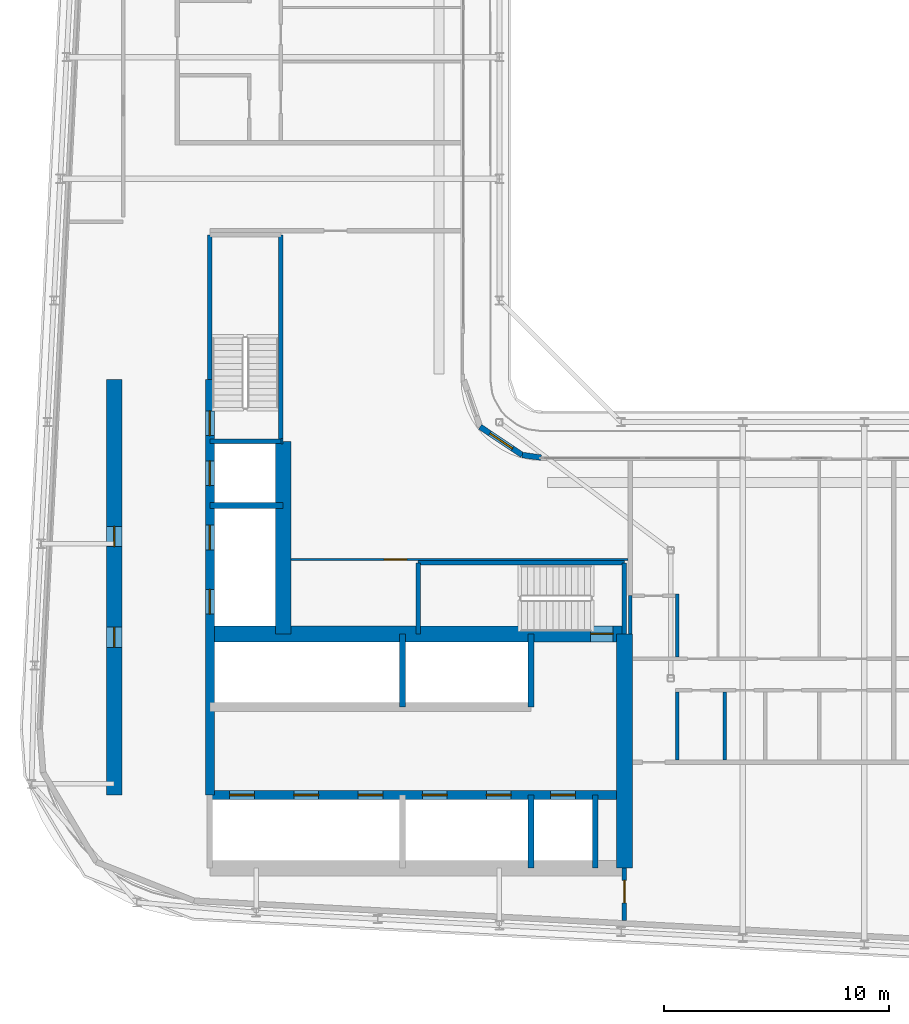
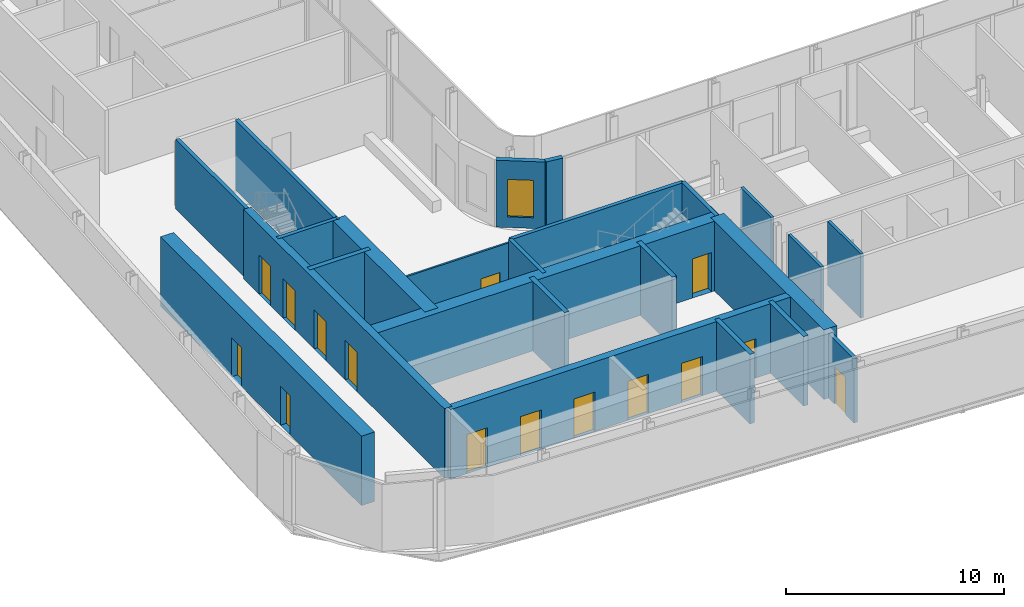
# One storey, part 10 of 22: 26 walls, 15 doors, 1 window, 16 openings.
"""IFC4 building model written with IfcOpenShell, lengths in metres."""

from ifc_helpers import new_model, si_unit, direction, frame, frame_2d, origin, place, context, subcontext, project, spatial, rectangle, extrude, source, transform, mapped, material, layer, layer_set, type_object, element, fill, save


model = new_model("IFC4")

# Units and contexts
model_context = context("Model", 3, precision=1e-05, world=origin(), true_north=direction((0.0, 1.0)))
body_context = subcontext(model_context, "Body", "Model", "MODEL_VIEW")
ifc_project = project(units=[si_unit("LENGTHUNIT", "METRE"), si_unit("AREAUNIT", "SQUARE_METRE"), si_unit("VOLUMEUNIT", "CUBIC_METRE"), si_unit("PLANEANGLEUNIT", "RADIAN"), si_unit("MASSUNIT", "GRAM", prefix="KILO")], contexts=[model_context])

# Site, building, storey
site_placement = place(None, origin())
site = spatial("IfcSite", under=ifc_project, at=site_placement, CompositionType="ELEMENT")
building_placement = place(site_placement, origin())
building = spatial("IfcBuilding", under=site, at=building_placement, Name="Kheshtan School and Residences Tower", CompositionType="ELEMENT")
storey_placement = place(building_placement, frame((0.0, 0.0, 263.0)))
storey = spatial("IfcBuildingStorey", under=building, at=storey_placement, Name="L62", CompositionType="ELEMENT", Elevation=263.0)

# Wall, openings, doors
ifc_material_1 = material(Name="Concrete C50/60", Category="concrete")
ifc_layer_1 = layer(ifc_material_1, 0.39990234375)
ifc_layer_set_1 = layer_set([ifc_layer_1], Name="Core wall 400 Concrete C50/60")
wall_type_1 = type_object("IfcWallType", Name="Core wall 400 Concrete C50/60", PredefinedType="SHEAR", material=ifc_layer_set_1)
wall_1_placement = place(storey_placement, frame((34.75, 29.050048828125, 0.0), z_axis=(0.0, 0.0, 1.0), x_axis=(1.0, 0.0, 0.0)))
wall_1 = element("IfcWall", 1, at=wall_1_placement, inside=storey, type_object=wall_type_1, Name="Core wall CW-HALL-S1", PredefinedType="SHEAR", context=body_context, shape_type="SweptSolid", body=[
    extrude(rectangle(XDim=18.39990234375, YDim=0.39990234375, at=frame_2d((9.199951171875, 0.0))), origin(), (0.0, 0.0, 1.0), 3.89990234375),
])
opening_1_placement = place(wall_1_placement, frame((0.875, 0.0, 0.0)))
opening_1 = element("IfcOpeningElement", 2, at=opening_1_placement, cuts=wall_1, Name="Opening LD", PredefinedType="OPENING", context=body_context, shape_type="SweptSolid", body=[
    extrude(rectangle(XDim=1.10009765625, YDim=2.199951171875, at=frame_2d((0.550048828125, 1.10009765625))), frame((0.0, 0.2099609375, 0.0), z_axis=(0.0, -1.0, 0.0), x_axis=(1.0, 0.0, 0.0)), (0.0, 0.0, 1.0), 0.419921875),
])
opening_2_placement = place(wall_1_placement, frame((3.72509765625, 0.0, 0.0)))
opening_2 = element("IfcOpeningElement", 3, at=opening_2_placement, cuts=wall_1, Name="Opening LD", PredefinedType="OPENING", context=body_context, shape_type="SweptSolid", body=[
    extrude(rectangle(XDim=1.10009765625, YDim=2.199951171875, at=frame_2d((0.550048828125, 1.10009765625))), frame((0.0, 0.2099609375, 0.0), z_axis=(0.0, -1.0, 0.0), x_axis=(1.0, 0.0, 0.0)), (0.0, 0.0, 1.0), 0.419921875),
])
opening_3_placement = place(wall_1_placement, frame((6.574951171875, 0.0, 0.0)))
opening_3 = element("IfcOpeningElement", 4, at=opening_3_placement, cuts=wall_1, Name="Opening LD", PredefinedType="OPENING", context=body_context, shape_type="SweptSolid", body=[
    extrude(rectangle(XDim=1.10009765625, YDim=2.199951171875, at=frame_2d((0.550048828125, 1.10009765625))), frame((0.0, 0.2099609375, 0.0), z_axis=(0.0, -1.0, 0.0), x_axis=(1.0, 0.0, 0.0)), (0.0, 0.0, 1.0), 0.419921875),
])
opening_4_placement = place(wall_1_placement, frame((9.425048828125, 0.0, 0.0)))
opening_4 = element("IfcOpeningElement", 5, at=opening_4_placement, cuts=wall_1, Name="Opening LD", PredefinedType="OPENING", context=body_context, shape_type="SweptSolid", body=[
    extrude(rectangle(XDim=1.10009765625, YDim=2.199951171875, at=frame_2d((0.550048828125, 1.10009765625))), frame((0.0, 0.2099609375, 0.0), z_axis=(0.0, -1.0, 0.0), x_axis=(1.0, 0.0, 0.0)), (0.0, 0.0, 1.0), 0.419921875),
])
opening_5_placement = place(wall_1_placement, frame((12.27490234375, 0.0, 0.0)))
opening_5 = element("IfcOpeningElement", 6, at=opening_5_placement, cuts=wall_1, Name="Opening LD", PredefinedType="OPENING", context=body_context, shape_type="SweptSolid", body=[
    extrude(rectangle(XDim=1.10009765625, YDim=2.199951171875, at=frame_2d((0.550048828125, 1.10009765625))), frame((0.0, 0.2099609375, 0.0), z_axis=(0.0, -1.0, 0.0), x_axis=(1.0, 0.0, 0.0)), (0.0, 0.0, 1.0), 0.419921875),
])
opening_6_placement = place(wall_1_placement, frame((15.125, 0.0, 0.0)))
opening_6 = element("IfcOpeningElement", 7, at=opening_6_placement, cuts=wall_1, Name="Opening LD", PredefinedType="OPENING", context=body_context, shape_type="SweptSolid", body=[
    extrude(rectangle(XDim=1.10009765625, YDim=2.199951171875, at=frame_2d((0.550048828125, 1.10009765625))), frame((0.0, 0.2099609375, 0.0), z_axis=(0.0, -1.0, 0.0), x_axis=(1.0, 0.0, 0.0)), (0.0, 0.0, 1.0), 0.419921875),
])
ifc_material_2 = material(Name="Stainless steel door leaves", Category="steel")
door_type_1 = type_object("IfcDoorType", Name="Lift landing door 1100", OperationType="SLIDING_TO_LEFT", PredefinedType="DOOR", material=ifc_material_2)
shared_shape_1 = source(origin(), body_context, "Body", "SweptSolid", [
    extrude(rectangle(XDim=1.10009765625, YDim=2.199951171875, at=frame_2d((0.550048828125, 1.10009765625))), frame((0.0, 0.02490234375, 0.0), z_axis=(0.0, -1.0, 0.0), x_axis=(1.0, 0.0, 0.0)), (0.0, 0.0, 1.0), 0.050048828125),
])
door_1_placement = place(opening_1_placement, origin())
door_1 = element("IfcDoor", 8, at=door_1_placement, inside=storey, type_object=door_type_1, Name="Lift P7 landing door", OperationType="SLIDING_TO_LEFT", OverallHeight=2.199951171875, OverallWidth=1.10009765625, PredefinedType="DOOR", context=body_context, shape_type="MappedRepresentation", body=[
    mapped(shared_shape_1, transform((0.0, 0.0, 0.0), x_axis=(1.0, 0.0, 0.0), y_axis=(0.0, 1.0, 0.0), z_axis=(0.0, 0.0, 1.0), scale=1.0)),
])
fill(opening_1, door_1)
door_2_placement = place(opening_2_placement, origin())
door_2 = element("IfcDoor", 9, at=door_2_placement, inside=storey, type_object=door_type_1, Name="Lift P8 landing door", OperationType="SLIDING_TO_LEFT", OverallHeight=2.199951171875, OverallWidth=1.10009765625, PredefinedType="DOOR", context=body_context, shape_type="MappedRepresentation", body=[
    mapped(shared_shape_1, transform((0.0, 0.0, 0.0), x_axis=(1.0, 0.0, 0.0), y_axis=(0.0, 1.0, 0.0), z_axis=(0.0, 0.0, 1.0), scale=1.0)),
])
fill(opening_2, door_2)
door_3_placement = place(opening_3_placement, origin())
door_3 = element("IfcDoor", 10, at=door_3_placement, inside=storey, type_object=door_type_1, Name="Lift P9 landing door", OperationType="SLIDING_TO_LEFT", OverallHeight=2.199951171875, OverallWidth=1.10009765625, PredefinedType="DOOR", context=body_context, shape_type="MappedRepresentation", body=[
    mapped(shared_shape_1, transform((0.0, 0.0, 0.0), x_axis=(1.0, 0.0, 0.0), y_axis=(0.0, 1.0, 0.0), z_axis=(0.0, 0.0, 1.0), scale=1.0)),
])
fill(opening_3, door_3)
door_4_placement = place(opening_4_placement, origin())
door_4 = element("IfcDoor", 11, at=door_4_placement, inside=storey, type_object=door_type_1, Name="Lift P10 landing door", OperationType="SLIDING_TO_LEFT", OverallHeight=2.199951171875, OverallWidth=1.10009765625, PredefinedType="DOOR", context=body_context, shape_type="MappedRepresentation", body=[
    mapped(shared_shape_1, transform((0.0, 0.0, 0.0), x_axis=(1.0, 0.0, 0.0), y_axis=(0.0, 1.0, 0.0), z_axis=(0.0, 0.0, 1.0), scale=1.0)),
])
fill(opening_4, door_4)
door_5_placement = place(opening_5_placement, origin())
door_5 = element("IfcDoor", 12, at=door_5_placement, inside=storey, type_object=door_type_1, Name="Lift P11 landing door", OperationType="SLIDING_TO_LEFT", OverallHeight=2.199951171875, OverallWidth=1.10009765625, PredefinedType="DOOR", context=body_context, shape_type="MappedRepresentation", body=[
    mapped(shared_shape_1, transform((0.0, 0.0, 0.0), x_axis=(1.0, 0.0, 0.0), y_axis=(0.0, 1.0, 0.0), z_axis=(0.0, 0.0, 1.0), scale=1.0)),
])
fill(opening_5, door_5)
door_6_placement = place(opening_6_placement, origin())
door_6 = element("IfcDoor", 13, at=door_6_placement, inside=storey, type_object=door_type_1, Name="Lift FFL2 landing door", OperationType="SLIDING_TO_LEFT", OverallHeight=2.199951171875, OverallWidth=1.10009765625, PredefinedType="DOOR", context=body_context, shape_type="MappedRepresentation", body=[
    mapped(shared_shape_1, transform((0.0, 0.0, 0.0), x_axis=(1.0, 0.0, 0.0), y_axis=(0.0, 1.0, 0.0), z_axis=(0.0, 0.0, 1.0), scale=1.0)),
])
fill(opening_6, door_6)

wall_2_placement = place(storey_placement, frame((34.75, 29.050048828125, 0.0), z_axis=(0.0, 0.0, 1.0), x_axis=(0.0, 1.0, 0.0)))
wall_2 = element("IfcWall", 14, at=wall_2_placement, inside=storey, type_object=wall_type_1, Name="Core wall CW-HALL-W1", PredefinedType="SHEAR", context=body_context, shape_type="SweptSolid", body=[
    extrude(rectangle(XDim=18.449951171875, YDim=0.39990234375, at=frame_2d((9.22509765625, 0.0))), origin(), (0.0, 0.0, 1.0), 3.89990234375),
])
opening_7_placement = place(wall_2_placement, frame((8.02490234375, 0.0, 0.0)))
opening_7 = element("IfcOpeningElement", 15, at=opening_7_placement, cuts=wall_2, Name="Opening LD", PredefinedType="OPENING", context=body_context, shape_type="SweptSolid", body=[
    extrude(rectangle(XDim=1.10009765625, YDim=2.199951171875, at=frame_2d((0.550048828125, 1.10009765625))), frame((0.0, 0.2099609375, 0.0), z_axis=(0.0, -1.0, 0.0), x_axis=(1.0, 0.0, 0.0)), (0.0, 0.0, 1.0), 0.419921875),
])
opening_8_placement = place(wall_2_placement, frame((10.875, 0.0, 0.0)))
opening_8 = element("IfcOpeningElement", 16, at=opening_8_placement, cuts=wall_2, Name="Opening LD", PredefinedType="OPENING", context=body_context, shape_type="SweptSolid", body=[
    extrude(rectangle(XDim=1.10009765625, YDim=2.199951171875, at=frame_2d((0.550048828125, 1.10009765625))), frame((0.0, 0.2099609375, 0.0), z_axis=(0.0, -1.0, 0.0), x_axis=(1.0, 0.0, 0.0)), (0.0, 0.0, 1.0), 0.419921875),
])
opening_9_placement = place(wall_2_placement, frame((13.72509765625, 0.0, 0.0)))
opening_9 = element("IfcOpeningElement", 17, at=opening_9_placement, cuts=wall_2, Name="Opening LD", PredefinedType="OPENING", context=body_context, shape_type="SweptSolid", body=[
    extrude(rectangle(XDim=1.10009765625, YDim=2.199951171875, at=frame_2d((0.550048828125, 1.10009765625))), frame((0.0, 0.2099609375, 0.0), z_axis=(0.0, -1.0, 0.0), x_axis=(1.0, 0.0, 0.0)), (0.0, 0.0, 1.0), 0.419921875),
])
opening_10_placement = place(wall_2_placement, frame((15.949951171875, 0.0, 0.0)))
opening_10 = element("IfcOpeningElement", 18, at=opening_10_placement, cuts=wall_2, Name="Opening ST2D", PredefinedType="OPENING", context=body_context, shape_type="SweptSolid", body=[
    extrude(rectangle(XDim=1.10009765625, YDim=2.199951171875, at=frame_2d((0.550048828125, 1.10009765625))), frame((0.0, 0.2099609375, 0.0), z_axis=(0.0, -1.0, 0.0), x_axis=(1.0, 0.0, 0.0)), (0.0, 0.0, 1.0), 0.419921875),
])
door_7_placement = place(opening_7_placement, origin())
door_7 = element("IfcDoor", 19, at=door_7_placement, inside=storey, type_object=door_type_1, Name="Lift SV1 landing door", OperationType="SLIDING_TO_LEFT", OverallHeight=2.199951171875, OverallWidth=1.10009765625, PredefinedType="DOOR", context=body_context, shape_type="MappedRepresentation", body=[
    mapped(shared_shape_1, transform((0.0, 0.0, 0.0), x_axis=(1.0, 0.0, 0.0), y_axis=(0.0, 1.0, 0.0), z_axis=(0.0, 0.0, 1.0), scale=1.0)),
])
fill(opening_7, door_7)
door_8_placement = place(opening_8_placement, origin())
door_8 = element("IfcDoor", 20, at=door_8_placement, inside=storey, type_object=door_type_1, Name="Lift SV2 landing door", OperationType="SLIDING_TO_LEFT", OverallHeight=2.199951171875, OverallWidth=1.10009765625, PredefinedType="DOOR", context=body_context, shape_type="MappedRepresentation", body=[
    mapped(shared_shape_1, transform((0.0, 0.0, 0.0), x_axis=(1.0, 0.0, 0.0), y_axis=(0.0, 1.0, 0.0), z_axis=(0.0, 0.0, 1.0), scale=1.0)),
])
fill(opening_8, door_8)
door_9_placement = place(opening_9_placement, origin())
door_9 = element("IfcDoor", 21, at=door_9_placement, inside=storey, type_object=door_type_1, Name="Lift FFL1 landing door", OperationType="SLIDING_TO_LEFT", OverallHeight=2.199951171875, OverallWidth=1.10009765625, PredefinedType="DOOR", context=body_context, shape_type="MappedRepresentation", body=[
    mapped(shared_shape_1, transform((0.0, 0.0, 0.0), x_axis=(1.0, 0.0, 0.0), y_axis=(0.0, 1.0, 0.0), z_axis=(0.0, 0.0, 1.0), scale=1.0)),
])
fill(opening_9, door_9)
ifc_material_3 = material(Name="Steel door leaf, galvanised", Category="steel")
door_type_2 = type_object("IfcDoorType", Name="Stair door 1100 steel 90 min", OperationType="SINGLE_SWING_LEFT", PredefinedType="DOOR", material=ifc_material_3)
shared_shape_2 = source(origin(), body_context, "Body", "SweptSolid", [
    extrude(rectangle(XDim=1.10009765625, YDim=2.199951171875, at=frame_2d((0.550048828125, 1.10009765625))), frame((0.0, 0.02490234375, 0.0), z_axis=(0.0, -1.0, 0.0), x_axis=(1.0, 0.0, 0.0)), (0.0, 0.0, 1.0), 0.050048828125),
])
door_10_placement = place(opening_10_placement, origin())
door_10 = element("IfcDoor", 22, at=door_10_placement, inside=storey, type_object=door_type_2, Name="Stair ST2 door", OperationType="SINGLE_SWING_RIGHT", OverallHeight=2.199951171875, OverallWidth=1.10009765625, PredefinedType="DOOR", context=body_context, shape_type="MappedRepresentation", body=[
    mapped(shared_shape_2, transform((0.0, 0.0, 0.0), x_axis=(1.0, 0.0, 0.0), y_axis=(0.0, 1.0, 0.0), z_axis=(0.0, 0.0, 1.0), scale=1.0)),
])
fill(opening_10, door_10)

# Wall, opening, door
ifc_material_4 = material(Name="Concrete C70/85", Category="concrete")
ifc_layer_2 = layer(ifc_material_4, 0.699951171875)
ifc_layer_set_2 = layer_set([ifc_layer_2], Name="Core wall 700 Concrete C70/85")
wall_type_2 = type_object("IfcWallType", Name="Core wall 700 Concrete C70/85", PredefinedType="SHEAR", material=ifc_layer_set_2)
wall_3_placement = place(storey_placement, frame((34.75, 36.199951171875, 0.0), z_axis=(0.0, 0.0, 1.0), x_axis=(1.0, 0.0, 0.0)))
wall_3 = element("IfcWall", 23, at=wall_3_placement, inside=storey, type_object=wall_type_2, Name="Core wall CW-FRONT-S", PredefinedType="SHEAR", context=body_context, shape_type="SweptSolid", body=[
    extrude(rectangle(XDim=18.39990234375, YDim=0.699951171875, at=frame_2d((9.199951171875, 0.0))), origin(), (0.0, 0.0, 1.0), 3.89990234375),
])
opening_11_placement = place(wall_3_placement, frame((16.89990234375, 0.0, 0.0)))
opening_11 = element("IfcOpeningElement", 24, at=opening_11_placement, cuts=wall_3, Name="Opening ST1D", PredefinedType="OPENING", context=body_context, shape_type="SweptSolid", body=[
    extrude(rectangle(XDim=1.0, YDim=2.199951171875, at=frame_2d((0.5, 1.10009765625))), frame((0.0, 0.35986328125, 0.0), z_axis=(0.0, -1.0, 0.0), x_axis=(1.0, 0.0, 0.0)), (0.0, 0.0, 1.0), 0.719970703125),
])
shared_shape_3 = source(origin(), body_context, "Body", "SweptSolid", [
    extrude(rectangle(XDim=1.0, YDim=2.199951171875, at=frame_2d((0.5, 1.10009765625))), frame((0.0, 0.02490234375, 0.0), z_axis=(0.0, -1.0, 0.0), x_axis=(1.0, 0.0, 0.0)), (0.0, 0.0, 1.0), 0.050048828125),
])
door_11_placement = place(opening_11_placement, origin())
door_11 = element("IfcDoor", 25, at=door_11_placement, inside=storey, type_object=door_type_2, Name="Stair ST1 door", OperationType="SINGLE_SWING_RIGHT", OverallHeight=2.199951171875, OverallWidth=1.0, PredefinedType="DOOR", context=body_context, shape_type="MappedRepresentation", body=[
    mapped(shared_shape_3, transform((0.0, 0.0, 0.0), x_axis=(1.0, 0.0, 0.0), y_axis=(0.0, 1.0, 0.0), z_axis=(0.0, 0.0, 1.0), scale=1.0)),
])
fill(opening_11, door_11)

# Wall
wall_4_placement = place(storey_placement, frame((38.0, 36.199951171875, 0.0), z_axis=(0.0, 0.0, 1.0), x_axis=(0.0, 1.0, 0.0)))
element("IfcWall", 26, at=wall_4_placement, inside=storey, type_object=wall_type_2, Name="Core wall CW-FRONT-W", PredefinedType="SHEAR", context=body_context, shape_type="SweptSolid", body=[
    extrude(rectangle(XDim=8.550048828125, YDim=0.699951171875, at=frame_2d((4.27490234375, 0.0))), origin(), (0.0, 0.0, 1.0), 3.89990234375),
])

# Wall, openings, doors
wall_5_placement = place(storey_placement, frame((30.5, 29.050048828125, 0.0), z_axis=(0.0, 0.0, 1.0), x_axis=(0.0, 1.0, 0.0)))
wall_5 = element("IfcWall", 27, at=wall_5_placement, inside=storey, type_object=wall_type_2, Name="Core wall CW-REAR-W", PredefinedType="SHEAR", context=body_context, shape_type="SweptSolid", body=[
    extrude(rectangle(XDim=18.449951171875, YDim=0.699951171875, at=frame_2d((9.22509765625, 0.0))), origin(), (0.0, 0.0, 1.0), 3.89990234375),
])
opening_12_placement = place(wall_5_placement, frame((6.550048828125, 0.0, 0.0)))
opening_12 = element("IfcOpeningElement", 28, at=opening_12_placement, cuts=wall_5, Name="Opening SR90", PredefinedType="OPENING", context=body_context, shape_type="SweptSolid", body=[
    extrude(rectangle(XDim=0.89990234375, YDim=2.199951171875, at=frame_2d((0.449951171875, 1.10009765625))), frame((0.0, 0.35986328125, 0.0), z_axis=(0.0, -1.0, 0.0), x_axis=(1.0, 0.0, 0.0)), (0.0, 0.0, 1.0), 0.719970703125),
])
opening_13_placement = place(wall_5_placement, frame((11.02490234375, 0.0, 0.0)))
opening_13 = element("IfcOpeningElement", 29, at=opening_13_placement, cuts=wall_5, Name="Opening SR90", PredefinedType="OPENING", context=body_context, shape_type="SweptSolid", body=[
    extrude(rectangle(XDim=0.89990234375, YDim=2.199951171875, at=frame_2d((0.449951171875, 1.10009765625))), frame((0.0, 0.35986328125, 0.0), z_axis=(0.0, -1.0, 0.0), x_axis=(1.0, 0.0, 0.0)), (0.0, 0.0, 1.0), 0.719970703125),
])
door_type_3 = type_object("IfcDoorType", Name="Service room door 900 steel 90 min", OperationType="SINGLE_SWING_LEFT", PredefinedType="DOOR", material=ifc_material_3)
shared_shape_4 = source(origin(), body_context, "Body", "SweptSolid", [
    extrude(rectangle(XDim=0.89990234375, YDim=2.199951171875, at=frame_2d((0.449951171875, 1.10009765625))), frame((0.0, 0.02490234375, 0.0), z_axis=(0.0, -1.0, 0.0), x_axis=(1.0, 0.0, 0.0)), (0.0, 0.0, 1.0), 0.050048828125),
])
door_12_placement = place(opening_12_placement, origin())
door_12 = element("IfcDoor", 30, at=door_12_placement, inside=storey, type_object=door_type_3, Name="Service room door", OperationType="SINGLE_SWING_RIGHT", OverallHeight=2.199951171875, OverallWidth=0.89990234375, PredefinedType="DOOR", context=body_context, shape_type="MappedRepresentation", body=[
    mapped(shared_shape_4, transform((0.0, 0.0, 0.0), x_axis=(1.0, 0.0, 0.0), y_axis=(0.0, 1.0, 0.0), z_axis=(0.0, 0.0, 1.0), scale=1.0)),
])
fill(opening_12, door_12)
door_13_placement = place(opening_13_placement, origin())
door_13 = element("IfcDoor", 31, at=door_13_placement, inside=storey, type_object=door_type_3, Name="Service room door", OperationType="SINGLE_SWING_RIGHT", OverallHeight=2.199951171875, OverallWidth=0.89990234375, PredefinedType="DOOR", context=body_context, shape_type="MappedRepresentation", body=[
    mapped(shared_shape_4, transform((0.0, 0.0, 0.0), x_axis=(1.0, 0.0, 0.0), y_axis=(0.0, 1.0, 0.0), z_axis=(0.0, 0.0, 1.0), scale=1.0)),
])
fill(opening_13, door_13)

# Wall
wall_6_placement = place(storey_placement, frame((53.14990234375, 25.800048828125, 0.0), z_axis=(0.0, 0.0, 1.0), x_axis=(0.0, 1.0, 0.0)))
element("IfcWall", 32, at=wall_6_placement, inside=storey, type_object=wall_type_2, Name="Core wall CW-EAST", PredefinedType="SHEAR", context=body_context, shape_type="SweptSolid", body=[
    extrude(rectangle(XDim=10.39990234375, YDim=0.699951171875, at=frame_2d((5.199951171875, 0.0))), origin(), (0.0, 0.0, 1.0), 3.89990234375),
])

# Wall, opening, door
ifc_material_5 = material(Name="Gypsum board on steel studs with fire boards", Category="steel")
ifc_layer_3 = layer(ifc_material_5, 0.199951171875)
ifc_layer_set_3 = layer_set([ifc_layer_3], Name="Corridor wall 200")
wall_type_3 = type_object("IfcWallType", Name="Corridor wall 200", PredefinedType="PARTITIONING", material=ifc_layer_set_3)
wall_7_placement = place(storey_placement, frame((53.14990234375, 23.472412109375, 0.0), z_axis=(0.0, 0.0, 1.0), x_axis=(0.0, 1.0, 0.0)))
wall_7 = element("IfcWall", 33, at=wall_7_placement, inside=storey, type_object=wall_type_3, Name="Partition L62-030", PredefinedType="PARTITIONING", context=body_context, shape_type="SweptSolid", body=[
    extrude(rectangle(XDim=2.32763671875, YDim=0.199951171875, at=frame_2d((1.163818359375, 0.0))), origin(), (0.0, 0.0, 1.0), 3.60009765625),
])
opening_14_placement = place(wall_7_placement, frame((0.784912109375, 0.0, 0.0)))
opening_14 = element("IfcOpeningElement", 34, at=opening_14_placement, cuts=wall_7, Name="Opening D61-041", PredefinedType="OPENING", context=body_context, shape_type="SweptSolid", body=[
    extrude(rectangle(XDim=1.0, YDim=2.10009765625, at=frame_2d((0.5, 1.050048828125))), frame((0.0, 0.10986328125, 0.0), z_axis=(0.0, -1.0, 0.0), x_axis=(1.0, 0.0, 0.0)), (0.0, 0.0, 1.0), 0.219970703125),
])
ifc_material_6 = material(Name="Steel-framed fire-resisting door leaf", Category="steel")
door_type_4 = type_object("IfcDoorType", Name="Fire door FD60 1000 x 2100", OperationType="SINGLE_SWING_LEFT", PredefinedType="DOOR", material=ifc_material_6)
shared_shape_5 = source(origin(), body_context, "Body", "SweptSolid", [
    extrude(rectangle(XDim=1.0, YDim=2.10009765625, at=frame_2d((0.5, 1.050048828125))), frame((0.0, 0.02490234375, 0.0), z_axis=(0.0, -1.0, 0.0), x_axis=(1.0, 0.0, 0.0)), (0.0, 0.0, 1.0), 0.050048828125),
])
door_14_placement = place(opening_14_placement, origin())
door_14 = element("IfcDoor", 35, at=door_14_placement, inside=storey, type_object=door_type_4, Name="Door D61-041", OperationType="SINGLE_SWING_RIGHT", OverallHeight=2.10009765625, OverallWidth=1.0, PredefinedType="DOOR", context=body_context, shape_type="MappedRepresentation", body=[
    mapped(shared_shape_5, transform((0.0, 0.0, 0.0), x_axis=(1.0, 0.0, 0.0), y_axis=(0.0, 1.0, 0.0), z_axis=(0.0, 0.0, 1.0), scale=1.0)),
])
fill(opening_14, door_14)

# Wall, opening, window
ifc_material_7 = material(Name="Concrete C40/50 with ceramic cladding and mineral wool insulation", Category="concrete")
ifc_layer_4 = layer(ifc_material_7, 0.25)
ifc_layer_set_4 = layer_set([ifc_layer_4], Name="External wall 250 ceramic clad")
wall_type_4 = type_object("IfcWallType", Name="External wall 250 ceramic clad", PredefinedType="SOLIDWALL", material=ifc_layer_set_4)
wall_8_placement = place(storey_placement, frame((46.742919921875, 45.388916015625, 0.0), z_axis=(0.0, 0.0, 1.0), x_axis=(0.831449265529, -0.555600682912, 0.0)))
wall_8 = element("IfcWall", 36, at=wall_8_placement, inside=storey, type_object=wall_type_4, Name="External wall L62 10", PredefinedType="SOLIDWALL", context=body_context, shape_type="SweptSolid", body=[
    extrude(rectangle(XDim=2.25146484375, YDim=0.25, at=frame_2d((1.125732421875, 0.0))), origin(), (0.0, 0.0, 1.0), 3.75),
])
opening_15_placement = place(wall_8_placement, frame((0.52490234375, 0.0, 0.60009765625)))
opening_15 = element("IfcOpeningElement", 37, at=opening_15_placement, cuts=wall_8, Name="Opening WN-E", PredefinedType="OPENING", context=body_context, shape_type="SweptSolid", body=[
    extrude(rectangle(XDim=1.199951171875, YDim=2.10009765625, at=frame_2d((0.60009765625, 1.050048828125))), frame((0.0, 0.135009765625, 0.0), z_axis=(0.0, -1.0, 0.0), x_axis=(1.0, 0.0, 0.0)), (0.0, 0.0, 1.0), 0.27001953125),
])
ifc_material_8 = material(Name="Clear low-e glass in thermally broken aluminium frame", Category="aluminium")
window_type = type_object("IfcWindowType", Name="Window WN-E", PartitioningType="SINGLE_PANEL", PredefinedType="WINDOW", material=ifc_material_8)
shared_shape_6 = source(origin(), body_context, "Body", "SweptSolid", [
    extrude(rectangle(XDim=1.199951171875, YDim=2.10009765625, at=frame_2d((0.60009765625, 1.050048828125))), frame((0.0, 0.030029296875, 0.0), z_axis=(0.0, -1.0, 0.0), x_axis=(1.0, 0.0, 0.0)), (0.0, 0.0, 1.0), 0.06005859375),
])
window_placement = place(opening_15_placement, origin())
window = element("IfcWindow", 38, at=window_placement, inside=storey, type_object=window_type, Name="Window L62 10", OverallHeight=2.10009765625, OverallWidth=1.199951171875, PartitioningType="SINGLE_PANEL", PredefinedType="WINDOW", context=body_context, shape_type="MappedRepresentation", body=[
    mapped(shared_shape_6, transform((0.0, 0.0, 0.0), x_axis=(1.0, 0.0, 0.0), y_axis=(0.0, 1.0, 0.0), z_axis=(0.0, 0.0, 1.0), scale=1.0)),
])
fill(opening_15, window)

# Wall
wall_9_placement = place(storey_placement, frame((48.614990234375, 44.137939453125, 0.0), z_axis=(0.0, 0.0, 1.0), x_axis=(0.990741504246, -0.135761819977, 0.0)))
element("IfcWall", 39, at=wall_9_placement, inside=storey, type_object=wall_type_4, Name="External wall L62 11", PredefinedType="SOLIDWALL", context=body_context, shape_type="SweptSolid", body=[
    extrude(rectangle(XDim=0.83984375, YDim=0.25, at=frame_2d((0.419921875, 0.0))), origin(), (0.0, 0.0, 1.0), 3.75),
])

# Wall, opening, door
ifc_material_9 = material(Name="Gypsum board on steel studs", Category="steel")
ifc_layer_5 = layer(ifc_material_9, 0.10009765625)
ifc_layer_set_5 = layer_set([ifc_layer_5], Name="Gypsum partition 100")
wall_type_5 = type_object("IfcWallType", Name="Gypsum partition 100", PredefinedType="PARTITIONING", material=ifc_layer_set_5)
wall_10_placement = place(storey_placement, frame((38.34912109375, 39.5, 0.0), z_axis=(0.0, 0.0, 1.0), x_axis=(1.0, 0.0, 0.0)))
wall_10 = element("IfcWall", 40, at=wall_10_placement, inside=storey, type_object=wall_type_5, Name="Partition L62-028", PredefinedType="PARTITIONING", context=body_context, shape_type="SweptSolid", body=[
    extrude(rectangle(XDim=14.950927734375, YDim=0.10009765625, at=frame_2d((7.4755859375, 0.0))), origin(), (0.0, 0.0, 1.0), 3.60009765625),
])
opening_16_placement = place(wall_10_placement, frame((4.14697265625, 0.0, 0.0)))
opening_16 = element("IfcOpeningElement", 41, at=opening_16_placement, cuts=wall_10, Name="Opening D61-042", PredefinedType="OPENING", context=body_context, shape_type="SweptSolid", body=[
    extrude(rectangle(XDim=1.0, YDim=2.10009765625, at=frame_2d((0.5, 1.050048828125))), frame((0.0, 0.06005859375, 0.0), z_axis=(0.0, -1.0, 0.0), x_axis=(1.0, 0.0, 0.0)), (0.0, 0.0, 1.0), 0.1201171875),
])
ifc_material_10 = material(Name="Veneered timber door leaf", Category="wood")
door_type_5 = type_object("IfcDoorType", Name="Door 1000 x 2100", OperationType="SINGLE_SWING_LEFT", PredefinedType="DOOR", material=ifc_material_10)
shared_shape_7 = source(origin(), body_context, "Body", "SweptSolid", [
    extrude(rectangle(XDim=1.0, YDim=2.10009765625, at=frame_2d((0.5, 1.050048828125))), frame((0.0, 0.02490234375, 0.0), z_axis=(0.0, -1.0, 0.0), x_axis=(1.0, 0.0, 0.0)), (0.0, 0.0, 1.0), 0.050048828125),
])
door_15_placement = place(opening_16_placement, origin())
door_15 = element("IfcDoor", 42, at=door_15_placement, inside=storey, type_object=door_type_5, Name="Door D61-042", OperationType="SINGLE_SWING_LEFT", OverallHeight=2.10009765625, OverallWidth=1.0, PredefinedType="DOOR", context=body_context, shape_type="MappedRepresentation", body=[
    mapped(shared_shape_7, transform((0.0, 0.0, 0.0), x_axis=(1.0, 0.0, 0.0), y_axis=(0.0, 1.0, 0.0), z_axis=(0.0, 0.0, 1.0), scale=1.0)),
])
fill(opening_16, door_15)

# Walls
ifc_material_11 = material(Name="Fire-board shaft wall system")
ifc_layer_6 = layer(ifc_material_11, 0.25)
ifc_layer_set_6 = layer_set([ifc_layer_6], Name="Shaft lining wall 250")
wall_type_6 = type_object("IfcWallType", Name="Shaft lining wall 250", PredefinedType="PARTITIONING", material=ifc_layer_set_6)
for number, where, z_axis, x_axis, name in (
    (43, (43.300048828125, 32.949951171875, 0.0), (0.0, 0.0, 1.0), (0.0, 1.0, 0.0), "Shaft lining wall"),
    (44, (49.0, 25.800048828125, 0.0), (0.0, 0.0, 1.0), (0.0, 1.0, 0.0), "Shaft lining wall"),
    (45, (49.0, 32.949951171875, 0.0), (0.0, 0.0, 1.0), (0.0, 1.0, 0.0), "Shaft lining wall"),
    (46, (51.85009765625, 25.800048828125, 0.0), (0.0, 0.0, 1.0), (0.0, 1.0, 0.0), "Shaft lining wall"),
    (47, (34.75, 41.89990234375, 0.0), (0.0, 0.0, 1.0), (1.0, 0.0, 0.0), "Shaft lining wall"),
):
    element("IfcWall", number, at=place(storey_placement, frame(where, z_axis=z_axis, x_axis=x_axis)), inside=storey, type_object=wall_type_6, Name=name, PredefinedType="PARTITIONING", context=body_context, shape_type="SweptSolid", body=[
        extrude(rectangle(XDim=3.25, YDim=0.25, at=frame_2d((1.625, 0.0))), origin(), (0.0, 0.0, 1.0), 3.89990234375),
    ])
wall_11_placement = place(storey_placement, frame((37.89990234375, 44.75, 0.0), z_axis=(0.0, 0.0, 1.0), x_axis=(1.0, 0.0, 0.0)))
element("IfcWall", 48, at=wall_11_placement, inside=storey, type_object=wall_type_6, Name="Shaft lining wall", PredefinedType="PARTITIONING", context=body_context, shape_type="SweptSolid", body=[
    extrude(rectangle(XDim=0.10009765625, YDim=0.25, at=frame_2d((0.050048828125, 0.0))), origin(), (0.0, 0.0, 1.0), 3.89990234375),
])
ifc_material_12 = material(Name="Concrete C40/50", Category="concrete")
ifc_layer_7 = layer(ifc_material_12, 0.199951171875)
ifc_layer_set_7 = layer_set([ifc_layer_7], Name="Stair enclosure wall 200 Concrete C40/50")
wall_type_7 = type_object("IfcWallType", Name="Stair enclosure wall 200 Concrete C40/50", PredefinedType="SHEAR", material=ifc_layer_set_7)
wall_12_placement = place(storey_placement, frame((43.989990234375, 39.35009765625, 0.0), z_axis=(0.0, 0.0, 1.0), x_axis=(1.0, 0.0, 0.0)))
element("IfcWall", 49, at=wall_12_placement, inside=storey, type_object=wall_type_7, Name="Stair enclosure wall ST1", PredefinedType="SHEAR", context=body_context, shape_type="SweptSolid", body=[
    extrude(rectangle(XDim=9.159912109375, YDim=0.199951171875, at=frame_2d((4.580078125, 0.0))), origin(), (0.0, 0.0, 1.0), 3.89990234375),
])
for number, where, z_axis, x_axis, name in (
    (50, (43.989990234375, 36.199951171875, 0.0), (0.0, 0.0, 1.0), (0.0, 1.0, 0.0), "Stair enclosure wall ST1"),
    (51, (53.14990234375, 36.199951171875, 0.0), (0.0, 0.0, 1.0), (0.0, 1.0, 0.0), "Stair enclosure wall ST1"),
):
    element("IfcWall", number, at=place(storey_placement, frame(where, z_axis=z_axis, x_axis=x_axis)), inside=storey, type_object=wall_type_7, Name=name, PredefinedType="SHEAR", context=body_context, shape_type="SweptSolid", body=[
        extrude(rectangle(XDim=3.150146484375, YDim=0.199951171875, at=frame_2d((1.5751953125, 0.0))), origin(), (0.0, 0.0, 1.0), 3.89990234375),
    ])
wall_13_placement = place(storey_placement, frame((34.75, 44.75, 0.0), z_axis=(0.0, 0.0, 1.0), x_axis=(1.0, 0.0, 0.0)))
element("IfcWall", 52, at=wall_13_placement, inside=storey, type_object=wall_type_7, Name="Stair enclosure wall ST2", PredefinedType="SHEAR", context=body_context, shape_type="SweptSolid", body=[
    extrude(rectangle(XDim=3.14990234375, YDim=0.199951171875, at=frame_2d((1.574951171875, 0.0))), origin(), (0.0, 0.0, 1.0), 3.89990234375),
])
wall_14_placement = place(storey_placement, frame((34.75, 47.5, 0.0), z_axis=(0.0, 0.0, 1.0), x_axis=(0.0, 1.0, 0.0)))
element("IfcWall", 53, at=wall_14_placement, inside=storey, type_object=wall_type_7, Name="Stair enclosure wall ST2", PredefinedType="SHEAR", context=body_context, shape_type="SweptSolid", body=[
    extrude(rectangle(XDim=6.409912109375, YDim=0.199951171875, at=frame_2d((3.205078125, 0.0))), origin(), (0.0, 0.0, 1.0), 3.89990234375),
])
wall_15_placement = place(storey_placement, frame((37.89990234375, 44.75, 0.0), z_axis=(0.0, 0.0, 1.0), x_axis=(0.0, 1.0, 0.0)))
element("IfcWall", 54, at=wall_15_placement, inside=storey, type_object=wall_type_7, Name="Stair enclosure wall ST2", PredefinedType="SHEAR", context=body_context, shape_type="SweptSolid", body=[
    extrude(rectangle(XDim=9.159912109375, YDim=0.199951171875, at=frame_2d((4.580078125, 0.0))), origin(), (0.0, 0.0, 1.0), 3.89990234375),
])
ifc_material_13 = material(Name="Moisture-resistant gypsum board on steel studs", Category="steel")
ifc_layer_8 = layer(ifc_material_13, 0.14990234375)
ifc_layer_set_8 = layer_set([ifc_layer_8], Name="Wet-room partition 150")
wall_type_8 = type_object("IfcWallType", Name="Wet-room partition 150", PredefinedType="PARTITIONING", material=ifc_layer_set_8)
wall_16_placement = place(storey_placement, frame((53.39990234375, 36.198974609375, 0.0), z_axis=(0.0, 0.0, 1.0), x_axis=(0.0, 1.0, 0.0)))
element("IfcWall", 55, at=wall_16_placement, inside=storey, type_object=wall_type_8, Name="Partition L62-031", PredefinedType="PARTITIONING", context=body_context, shape_type="SweptSolid", body=[
    extrude(rectangle(XDim=1.700927734375, YDim=0.14990234375, at=frame_2d((0.8505859375, 0.0))), origin(), (0.0, 0.0, 1.0), 3.60009765625),
])
wall_17_placement = place(storey_placement, frame((55.5, 30.60009765625, 0.0), z_axis=(0.0, 0.0, 1.0), x_axis=(0.0, 1.0, 0.0)))
element("IfcWall", 56, at=wall_17_placement, inside=storey, type_object=wall_type_8, Name="Partition L62-037", PredefinedType="PARTITIONING", context=body_context, shape_type="SweptSolid", body=[
    extrude(rectangle(XDim=3.02490234375, YDim=0.14990234375, at=frame_2d((1.512451171875, 0.0))), origin(), (0.0, 0.0, 1.0), 3.60009765625),
])
wall_18_placement = place(storey_placement, frame((55.5, 35.175048828125, 0.0), z_axis=(0.0, 0.0, 1.0), x_axis=(0.0, 1.0, 0.0)))
element("IfcWall", 57, at=wall_18_placement, inside=storey, type_object=wall_type_8, Name="Partition L62-038", PredefinedType="PARTITIONING", context=body_context, shape_type="SweptSolid", body=[
    extrude(rectangle(XDim=2.800048828125, YDim=0.14990234375, at=frame_2d((1.39990234375, 0.0))), origin(), (0.0, 0.0, 1.0), 3.60009765625),
])
wall_19_placement = place(storey_placement, frame((57.60009765625, 30.60009765625, 0.0), z_axis=(0.0, 0.0, 1.0), x_axis=(0.0, 1.0, 0.0)))
element("IfcWall", 58, at=wall_19_placement, inside=storey, type_object=wall_type_8, Name="Partition L62-040", PredefinedType="PARTITIONING", context=body_context, shape_type="SweptSolid", body=[
    extrude(rectangle(XDim=3.02490234375, YDim=0.14990234375, at=frame_2d((1.512451171875, 0.0))), origin(), (0.0, 0.0, 1.0), 3.60009765625),
])

save(model, "model.ifc")
